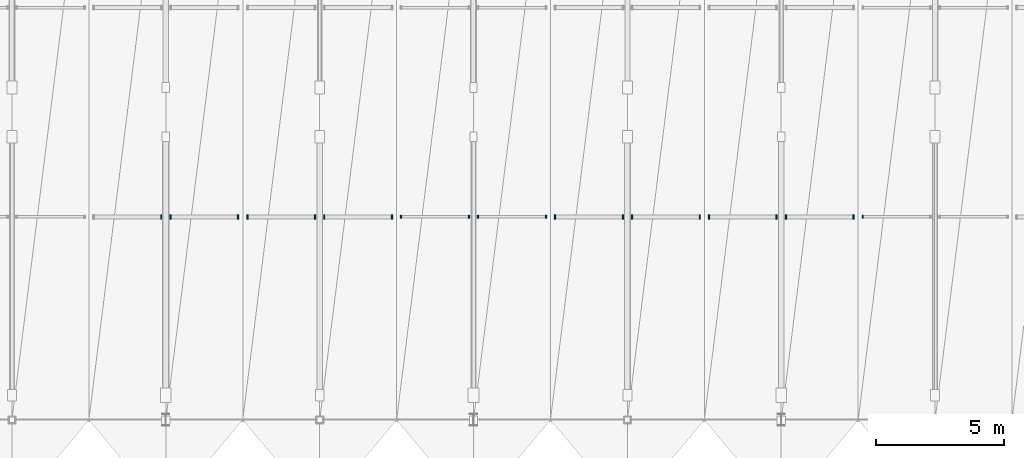
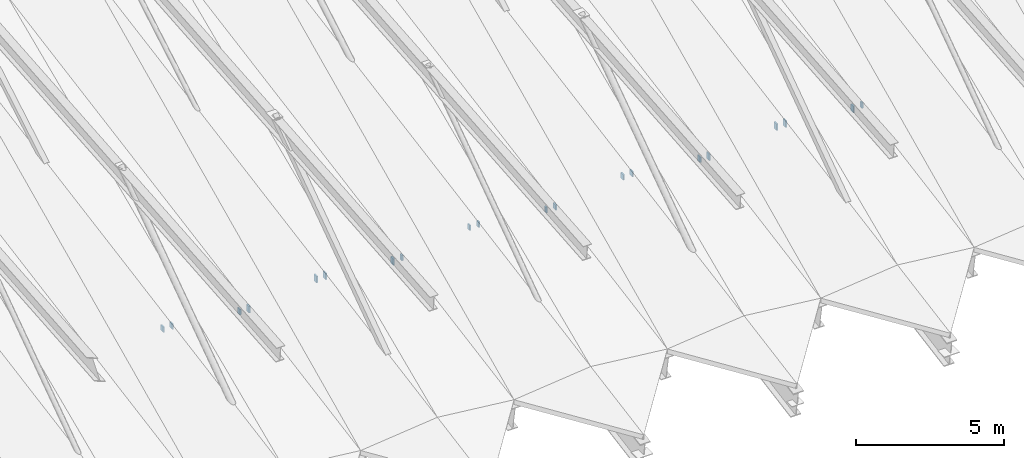
# One storey, part 36 of 52: 20 discrete accessories.
"""IFC4 building model written with IfcOpenShell, lengths in metres."""

from ifc_helpers import new_model, si_unit, direction, frame, origin, origin_2d, place, context, subcontext, project, spatial, rectangle, extrude, material, layer, layer_set, type_object, element, save


model = new_model("IFC4")

# Units and contexts
model_context = context("Model", 3, precision=1e-05, world=origin(), true_north=direction((0.0, 1.0)))
body_context = subcontext(model_context, "Body", "Model", "MODEL_VIEW")
ifc_project = project(units=[si_unit("LENGTHUNIT", "METRE"), si_unit("AREAUNIT", "SQUARE_METRE"), si_unit("VOLUMEUNIT", "CUBIC_METRE"), si_unit("PLANEANGLEUNIT", "RADIAN"), si_unit("MASSUNIT", "GRAM", prefix="KILO")], contexts=[model_context])

# Site, building, storey
site_placement = place(None, origin())
site = spatial("IfcSite", under=ifc_project, at=site_placement, CompositionType="ELEMENT")
building_placement = place(site_placement, origin())
building = spatial("IfcBuilding", under=site, at=building_placement, Name="Vaelkrest Opera House", CompositionType="ELEMENT")
storey_placement = place(building_placement, frame((0.0, 0.0, 41.39990234375)))
storey = spatial("IfcBuildingStorey", under=building, at=storey_placement, Name="ROOF", CompositionType="ELEMENT", Elevation=41.39990234375)

# Discrete accessories
ifc_material = material(Name="Steel A572 Gr50", Category="steel")
ifc_layer = layer(ifc_material, 0.320068359375)
ifc_layer_set = layer_set([ifc_layer], Name="Steel A572 Gr50")
discrete_accessory_type = type_object("IfcDiscreteAccessoryType", Name="ECP01", PredefinedType="USERDEFINED", material=ifc_layer_set)
for number, where, z_axis, x_axis, name in (
    (1, (-21.177490234375, -47.8798828125, -14.951171875), (0.0, 0.0, 1.0), (1.0, 0.0, 0.0), "Purlin HSS end cap plate V1-02-S1-33-W1"),
    (2, (-20.822509765625, -47.8798828125, -14.951171875), (0.0, 0.0, 1.0), (1.0, 0.0, 0.0), "Purlin HSS end cap plate V1-02-S1-33-E0"),
    (3, (-18.177490234375, -47.8798828125, -15.275390625), (0.0, 0.0, 1.0), (1.0, 0.0, 0.0), "Purlin HSS end cap plate V1-02-S1-33-E1"),
):
    element("IfcDiscreteAccessory", number, at=place(storey_placement, frame(where, z_axis=z_axis, x_axis=x_axis)), inside=storey, type_object=discrete_accessory_type, Name=name, ObjectType="CAP PLATE", PredefinedType="USERDEFINED", context=body_context, shape_type="SweptSolid", body=[
        extrude(rectangle(XDim=0.054931640625, YDim=0.176025390625, at=origin_2d()), origin(), (0.0, 0.0, 1.0), 0.218994140625),
    ])
for number, where, z_axis, x_axis, name in (
    (4, (-17.822509765625, -47.8798828125, -15.325927734375), (0.0, 0.0, 1.0), (1.0, 0.0, 0.0), "Purlin HSS end cap plate V1-03-S1-33-W0"),
    (5, (-15.177490234375, -47.8798828125, -15.001953125), (0.0, 0.0, 1.0), (1.0, 0.0, 0.0), "Purlin HSS end cap plate V1-03-S1-33-W1"),
    (6, (-14.822509765625, -47.8798828125, -15.001953125), (0.0, 0.0, 1.0), (1.0, 0.0, 0.0), "Purlin HSS end cap plate V1-03-S1-33-E0"),
    (7, (-12.177490234375, -47.8798828125, -15.325927734375), (0.0, 0.0, 1.0), (1.0, 0.0, 0.0), "Purlin HSS end cap plate V1-03-S1-33-E1"),
):
    element("IfcDiscreteAccessory", number, at=place(storey_placement, frame(where, z_axis=z_axis, x_axis=x_axis)), inside=storey, type_object=discrete_accessory_type, Name=name, ObjectType="CAP PLATE", PredefinedType="USERDEFINED", context=body_context, shape_type="SweptSolid", body=[
        extrude(rectangle(XDim=0.054931640625, YDim=0.176025390625, at=origin_2d()), origin(), (0.0, 0.0, 1.0), 0.27001953125),
    ])
for number, where, z_axis, x_axis, name in (
    (8, (-11.822509765625, -47.8798828125, -15.275390625), (0.0, 0.0, 1.0), (1.0, 0.0, 0.0), "Purlin HSS end cap plate V1-04-S1-33-W0"),
    (9, (-9.177490234375, -47.8798828125, -14.951171875), (0.0, 0.0, 1.0), (1.0, 0.0, 0.0), "Purlin HSS end cap plate V1-04-S1-33-W1"),
    (10, (-8.822509765625, -47.8798828125, -14.951171875), (0.0, 0.0, 1.0), (1.0, 0.0, 0.0), "Purlin HSS end cap plate V1-04-S1-33-E0"),
    (11, (-6.177490234375, -47.8798828125, -15.275390625), (0.0, 0.0, 1.0), (1.0, 0.0, 0.0), "Purlin HSS end cap plate V1-04-S1-33-E1"),
):
    element("IfcDiscreteAccessory", number, at=place(storey_placement, frame(where, z_axis=z_axis, x_axis=x_axis)), inside=storey, type_object=discrete_accessory_type, Name=name, ObjectType="CAP PLATE", PredefinedType="USERDEFINED", context=body_context, shape_type="SweptSolid", body=[
        extrude(rectangle(XDim=0.054931640625, YDim=0.1259765625, at=origin_2d()), origin(), (0.0, 0.0, 1.0), 0.218994140625),
    ])
for number, where, z_axis, x_axis, name in (
    (12, (-5.822509765625, -47.8798828125, -15.275390625), (0.0, 0.0, 1.0), (1.0, 0.0, 0.0), "Purlin HSS end cap plate V1-05-S1-33-W0"),
    (13, (-3.177490234375, -47.8798828125, -14.951171875), (0.0, 0.0, 1.0), (1.0, 0.0, 0.0), "Purlin HSS end cap plate V1-05-S1-33-W1"),
    (14, (-2.822509765625, -47.8798828125, -14.951171875), (0.0, 0.0, 1.0), (1.0, 0.0, 0.0), "Purlin HSS end cap plate V1-05-S1-33-E0"),
    (15, (-0.177490234375, -47.8798828125, -15.275390625), (0.0, 0.0, 1.0), (1.0, 0.0, 0.0), "Purlin HSS end cap plate V1-05-S1-33-E1"),
):
    element("IfcDiscreteAccessory", number, at=place(storey_placement, frame(where, z_axis=z_axis, x_axis=x_axis)), inside=storey, type_object=discrete_accessory_type, Name=name, ObjectType="CAP PLATE", PredefinedType="USERDEFINED", context=body_context, shape_type="SweptSolid", body=[
        extrude(rectangle(XDim=0.054931640625, YDim=0.176025390625, at=origin_2d()), origin(), (0.0, 0.0, 1.0), 0.218994140625),
    ])
for number, where, z_axis, x_axis, name in (
    (16, (0.177490234375, -47.8798828125, -15.325927734375), (0.0, 0.0, 1.0), (1.0, 0.0, 0.0), "Purlin HSS end cap plate V1-06-S1-33-W0"),
    (17, (2.822509765625, -47.8798828125, -15.001953125), (0.0, 0.0, 1.0), (1.0, 0.0, 0.0), "Purlin HSS end cap plate V1-06-S1-33-W1"),
    (18, (3.177490234375, -47.8798828125, -15.001953125), (0.0, 0.0, 1.0), (1.0, 0.0, 0.0), "Purlin HSS end cap plate V1-06-S1-33-E0"),
    (19, (5.822509765625, -47.8798828125, -15.325927734375), (0.0, 0.0, 1.0), (1.0, 0.0, 0.0), "Purlin HSS end cap plate V1-06-S1-33-E1"),
):
    element("IfcDiscreteAccessory", number, at=place(storey_placement, frame(where, z_axis=z_axis, x_axis=x_axis)), inside=storey, type_object=discrete_accessory_type, Name=name, ObjectType="CAP PLATE", PredefinedType="USERDEFINED", context=body_context, shape_type="SweptSolid", body=[
        extrude(rectangle(XDim=0.054931640625, YDim=0.176025390625, at=origin_2d()), origin(), (0.0, 0.0, 1.0), 0.27001953125),
    ])
discrete_accessory_placement = place(storey_placement, frame((6.177490234375, -47.8798828125, -15.275390625), z_axis=(0.0, 0.0, 1.0), x_axis=(1.0, 0.0, 0.0)))
element("IfcDiscreteAccessory", 20, at=discrete_accessory_placement, inside=storey, type_object=discrete_accessory_type, Name="Purlin HSS end cap plate V1-07-S1-33-W0", ObjectType="CAP PLATE", PredefinedType="USERDEFINED", context=body_context, shape_type="SweptSolid", body=[
    extrude(rectangle(XDim=0.054931640625, YDim=0.1259765625, at=origin_2d()), origin(), (0.0, 0.0, 1.0), 0.218994140625),
])

save(model, "model.ifc")
